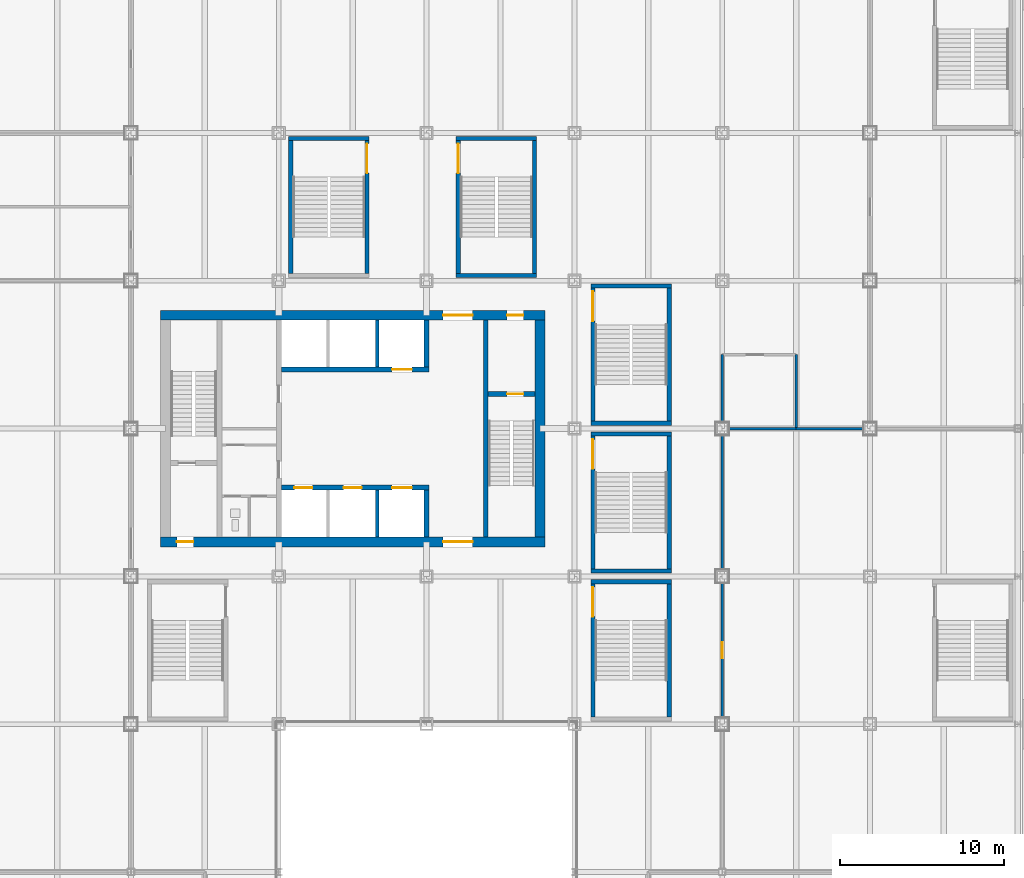
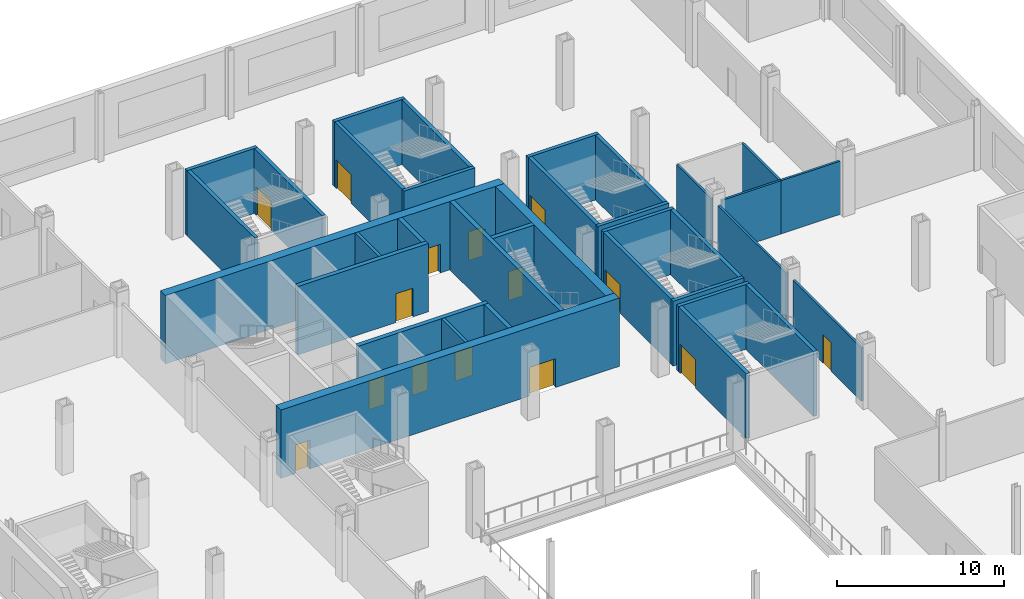
# One storey, part 13 of 28: 35 walls, 15 doors, 15 openings.
"""IFC4 building model written with IfcOpenShell, lengths in metres."""

from ifc_helpers import new_model, si_unit, direction, frame, frame_2d, origin, place, context, subcontext, project, spatial, rectangle, extrude, material, layer, layer_set, type_object, element, fill, save


model = new_model("IFC4")

# Units and contexts
model_context = context("Model", 3, precision=1e-05, world=origin(), true_north=direction((0.0, 1.0)))
body_context = subcontext(model_context, "Body", "Model", "MODEL_VIEW")
ifc_project = project(units=[si_unit("LENGTHUNIT", "METRE"), si_unit("AREAUNIT", "SQUARE_METRE"), si_unit("VOLUMEUNIT", "CUBIC_METRE"), si_unit("PLANEANGLEUNIT", "RADIAN"), si_unit("MASSUNIT", "GRAM", prefix="KILO")], contexts=[model_context])

# Site, building, storey
site_placement = place(None, origin())
site = spatial("IfcSite", under=ifc_project, at=site_placement, CompositionType="ELEMENT")
building_placement = place(site_placement, origin())
building = spatial("IfcBuilding", under=site, at=building_placement, Name="Loomwork Tower", CompositionType="ELEMENT")
storey_placement = place(building_placement, frame((0.0, 0.0, 6.0)))
storey = spatial("IfcBuildingStorey", under=building, at=storey_placement, Name="L01", CompositionType="ELEMENT", Elevation=6.0)

# Wall, openings, doors
ifc_material_1 = material(Name="Concrete 14000 psi (97 MPa)", Category="concrete")
ifc_layer_1 = layer(ifc_material_1, 0.300048828125)
ifc_layer_set_1 = layer_set([ifc_layer_1], Name="Core shear wall 300")
wall_type_1 = type_object("IfcWallType", Name="Core shear wall 300", PredefinedType="SHEAR", material=ifc_layer_set_1)
wall_1_placement = place(storey_placement, frame((18.14990234375, 14.39990234375, 0.0), z_axis=(0.0, 0.0, 1.0), x_axis=(1.0, 0.0, 0.0)))
wall_1 = element("IfcWall", 1, at=wall_1_placement, inside=storey, type_object=wall_type_1, Name="Lift front wall south L01", PredefinedType="SHEAR", context=body_context, shape_type="SweptSolid", body=[
    extrude(rectangle(XDim=9.0, YDim=0.300048828125, at=frame_2d((4.5, 0.0))), origin(), (0.0, 0.0, 1.0), 5.0),
])
opening_1_placement = place(wall_1_placement, frame((0.800048828125, 0.0, 0.0)))
opening_1 = element("IfcOpeningElement", 2, at=opening_1_placement, cuts=wall_1, Name="Opening LD1", PredefinedType="OPENING", context=body_context, shape_type="SweptSolid", body=[
    extrude(rectangle(XDim=1.10009765625, YDim=2.10009765625, at=frame_2d((0.550048828125, 1.050048828125))), frame((0.0, 0.159912109375, 0.0), z_axis=(0.0, -1.0, 0.0), x_axis=(1.0, 0.0, 0.0)), (0.0, 0.0, 1.0), 0.320068359375),
])
opening_2_placement = place(wall_1_placement, frame((3.800048828125, 0.0, 0.0)))
opening_2 = element("IfcOpeningElement", 3, at=opening_2_placement, cuts=wall_1, Name="Opening LD1", PredefinedType="OPENING", context=body_context, shape_type="SweptSolid", body=[
    extrude(rectangle(XDim=1.10009765625, YDim=2.10009765625, at=frame_2d((0.550048828125, 1.050048828125))), frame((0.0, 0.159912109375, 0.0), z_axis=(0.0, -1.0, 0.0), x_axis=(1.0, 0.0, 0.0)), (0.0, 0.0, 1.0), 0.320068359375),
])
opening_3_placement = place(wall_1_placement, frame((6.75, 0.0, 0.0)))
opening_3 = element("IfcOpeningElement", 4, at=opening_3_placement, cuts=wall_1, Name="Opening LD2", PredefinedType="OPENING", context=body_context, shape_type="SweptSolid", body=[
    extrude(rectangle(XDim=1.199951171875, YDim=2.10009765625, at=frame_2d((0.60009765625, 1.050048828125))), frame((0.0, 0.159912109375, 0.0), z_axis=(0.0, -1.0, 0.0), x_axis=(1.0, 0.0, 0.0)), (0.0, 0.0, 1.0), 0.320068359375),
])
ifc_material_2 = material(Name="Hollow metal door and frame")
door_type_1 = type_object("IfcDoorType", Name="Lift landing door 1100", OperationType="SLIDING_TO_LEFT", PredefinedType="DOOR", material=ifc_material_2)
door_1_placement = place(opening_1_placement, origin())
door_1 = element("IfcDoor", 5, at=door_1_placement, inside=storey, type_object=door_type_1, Name="Lift landing door LA1", OperationType="SLIDING_TO_LEFT", OverallHeight=2.10009765625, OverallWidth=1.10009765625, PredefinedType="DOOR", context=body_context, shape_type="SweptSolid", body=[
    extrude(rectangle(XDim=1.10009765625, YDim=2.10009765625, at=frame_2d((0.550048828125, 1.050048828125))), frame((0.0, 0.02490234375, 0.0), z_axis=(0.0, -1.0, 0.0), x_axis=(1.0, 0.0, 0.0)), (0.0, 0.0, 1.0), 0.050048828125),
])
fill(opening_1, door_1)
door_2_placement = place(opening_2_placement, origin())
door_2 = element("IfcDoor", 6, at=door_2_placement, inside=storey, type_object=door_type_1, Name="Lift landing door LA2", OperationType="SLIDING_TO_LEFT", OverallHeight=2.10009765625, OverallWidth=1.10009765625, PredefinedType="DOOR", context=body_context, shape_type="SweptSolid", body=[
    extrude(rectangle(XDim=1.10009765625, YDim=2.10009765625, at=frame_2d((0.550048828125, 1.050048828125))), frame((0.0, 0.02490234375, 0.0), z_axis=(0.0, -1.0, 0.0), x_axis=(1.0, 0.0, 0.0)), (0.0, 0.0, 1.0), 0.050048828125),
])
fill(opening_2, door_2)
ifc_material_3 = material(Name="Hollow metal door and frame")
door_type_2 = type_object("IfcDoorType", Name="Lift landing door 1200", OperationType="SLIDING_TO_LEFT", PredefinedType="DOOR", material=ifc_material_3)
door_3_placement = place(opening_3_placement, origin())
door_3 = element("IfcDoor", 7, at=door_3_placement, inside=storey, type_object=door_type_2, Name="Lift landing door LF1", OperationType="SLIDING_TO_LEFT", OverallHeight=2.10009765625, OverallWidth=1.199951171875, PredefinedType="DOOR", context=body_context, shape_type="SweptSolid", body=[
    extrude(rectangle(XDim=1.199951171875, YDim=2.10009765625, at=frame_2d((0.60009765625, 1.050048828125))), frame((0.0, 0.02490234375, 0.0), z_axis=(0.0, -1.0, 0.0), x_axis=(1.0, 0.0, 0.0)), (0.0, 0.0, 1.0), 0.050048828125),
])
fill(opening_3, door_3)

# Wall
wall_2_placement = place(storey_placement, frame((27.0, 11.39990234375, 0.0), z_axis=(0.0, 0.0, 1.0), x_axis=(0.0, 1.0, 0.0)))
element("IfcWall", 8, at=wall_2_placement, inside=storey, type_object=wall_type_1, Name="Lift shaft end wall south L01", PredefinedType="SHEAR", context=body_context, shape_type="SweptSolid", body=[
    extrude(rectangle(XDim=2.85009765625, YDim=0.300048828125, at=frame_2d((1.425048828125, 0.0))), origin(), (0.0, 0.0, 1.0), 5.0),
])

# Wall, opening, door
wall_3_placement = place(storey_placement, frame((18.14990234375, 21.60009765625, 0.0), z_axis=(0.0, 0.0, 1.0), x_axis=(1.0, 0.0, 0.0)))
wall_3 = element("IfcWall", 9, at=wall_3_placement, inside=storey, type_object=wall_type_1, Name="Lift front wall north L01", PredefinedType="SHEAR", context=body_context, shape_type="SweptSolid", body=[
    extrude(rectangle(XDim=9.0, YDim=0.300048828125, at=frame_2d((4.5, 0.0))), origin(), (0.0, 0.0, 1.0), 5.0),
])
opening_4_placement = place(wall_3_placement, frame((6.75, 0.0, 0.0)))
opening_4 = element("IfcOpeningElement", 10, at=opening_4_placement, cuts=wall_3, Name="Opening LD2", PredefinedType="OPENING", context=body_context, shape_type="SweptSolid", body=[
    extrude(rectangle(XDim=1.199951171875, YDim=2.10009765625, at=frame_2d((0.60009765625, 1.050048828125))), frame((0.0, 0.159912109375, 0.0), z_axis=(0.0, -1.0, 0.0), x_axis=(1.0, 0.0, 0.0)), (0.0, 0.0, 1.0), 0.320068359375),
])
door_4_placement = place(opening_4_placement, origin())
door_4 = element("IfcDoor", 11, at=door_4_placement, inside=storey, type_object=door_type_2, Name="Lift landing door LF2", OperationType="SLIDING_TO_LEFT", OverallHeight=2.10009765625, OverallWidth=1.199951171875, PredefinedType="DOOR", context=body_context, shape_type="SweptSolid", body=[
    extrude(rectangle(XDim=1.199951171875, YDim=2.10009765625, at=frame_2d((0.60009765625, 1.050048828125))), frame((0.0, 0.02490234375, 0.0), z_axis=(0.0, -1.0, 0.0), x_axis=(1.0, 0.0, 0.0)), (0.0, 0.0, 1.0), 0.050048828125),
])
fill(opening_4, door_4)

# Walls
wall_4_placement = place(storey_placement, frame((27.0, 21.75, 0.0), z_axis=(0.0, 0.0, 1.0), x_axis=(0.0, 1.0, 0.0)))
element("IfcWall", 12, at=wall_4_placement, inside=storey, type_object=wall_type_1, Name="Lift shaft end wall north L01", PredefinedType="SHEAR", context=body_context, shape_type="SweptSolid", body=[
    extrude(rectangle(XDim=2.85009765625, YDim=0.300048828125, at=frame_2d((1.425048828125, 0.0))), origin(), (0.0, 0.0, 1.0), 5.0),
])
wall_5_placement = place(storey_placement, frame((30.60009765625, 11.39990234375, 0.0), z_axis=(0.0, 0.0, 1.0), x_axis=(0.0, 1.0, 0.0)))
element("IfcWall", 13, at=wall_5_placement, inside=storey, type_object=wall_type_1, Name="Stair B west wall L01", PredefinedType="SHEAR", context=body_context, shape_type="SweptSolid", body=[
    extrude(rectangle(XDim=13.2001953125, YDim=0.300048828125, at=frame_2d((6.60009765625, 0.0))), origin(), (0.0, 0.0, 1.0), 5.0),
])

# Wall, opening, door
wall_6_placement = place(storey_placement, frame((30.75, 20.10009765625, 0.0), z_axis=(0.0, 0.0, 1.0), x_axis=(1.0, 0.0, 0.0)))
wall_6 = element("IfcWall", 14, at=wall_6_placement, inside=storey, type_object=wall_type_1, Name="Stair B north wall L01", PredefinedType="SHEAR", context=body_context, shape_type="SweptSolid", body=[
    extrude(rectangle(XDim=2.85009765625, YDim=0.300048828125, at=frame_2d((1.425048828125, 0.0))), origin(), (0.0, 0.0, 1.0), 5.0),
])
opening_5_placement = place(wall_6_placement, frame((1.14990234375, 0.0, 0.0)))
opening_5 = element("IfcOpeningElement", 15, at=opening_5_placement, cuts=wall_6, Name="Opening D4", PredefinedType="OPENING", context=body_context, shape_type="SweptSolid", body=[
    extrude(rectangle(XDim=1.0, YDim=2.10009765625, at=frame_2d((0.5, 1.050048828125))), frame((0.0, 0.159912109375, 0.0), z_axis=(0.0, -1.0, 0.0), x_axis=(1.0, 0.0, 0.0)), (0.0, 0.0, 1.0), 0.320068359375),
])
ifc_material_4 = material(Name="Hollow metal door and frame")
door_type_3 = type_object("IfcDoorType", Name="Stair door 1000", OperationType="SINGLE_SWING_RIGHT", PredefinedType="DOOR", material=ifc_material_4)
door_5_placement = place(opening_5_placement, frame((1.0, 0.0, 0.0), z_axis=(0.0, 0.0, 1.0), x_axis=(-1.0, 0.0, 0.0)))
door_5 = element("IfcDoor", 16, at=door_5_placement, inside=storey, type_object=door_type_3, Name="Stair B door", OperationType="SINGLE_SWING_LEFT", OverallHeight=2.10009765625, OverallWidth=1.0, PredefinedType="DOOR", context=body_context, shape_type="SweptSolid", body=[
    extrude(rectangle(XDim=1.0, YDim=2.10009765625, at=frame_2d((0.5, 1.050048828125))), frame((0.0, 0.02490234375, 0.0), z_axis=(0.0, -1.0, 0.0), x_axis=(1.0, 0.0, 0.0)), (0.0, 0.0, 1.0), 0.050048828125),
])
fill(opening_5, door_5)

# Wall, openings, doors
ifc_material_5 = material(Name="Concrete 14000 psi (97 MPa)", Category="concrete")
ifc_layer_2 = layer(ifc_material_5, 0.60009765625)
ifc_layer_set_2 = layer_set([ifc_layer_2], Name="Core shear wall 600")
wall_type_2 = type_object("IfcWallType", Name="Core shear wall 600", PredefinedType="SHEAR", material=ifc_layer_set_2)
wall_7_placement = place(storey_placement, frame((10.800048828125, 11.10009765625, 0.0), z_axis=(0.0, 0.0, 1.0), x_axis=(1.0, 0.0, 0.0)))
wall_7 = element("IfcWall", 17, at=wall_7_placement, inside=storey, type_object=wall_type_2, Name="Core wall south L01", PredefinedType="SHEAR", context=body_context, shape_type="SweptSolid", body=[
    extrude(rectangle(XDim=23.39990234375, YDim=0.60009765625, at=frame_2d((11.699951171875, 0.0))), origin(), (0.0, 0.0, 1.0), 5.0),
])
opening_6_placement = place(wall_7_placement, frame((1.0, 0.0, 0.0)))
opening_6 = element("IfcOpeningElement", 18, at=opening_6_placement, cuts=wall_7, Name="Opening D4", PredefinedType="OPENING", context=body_context, shape_type="SweptSolid", body=[
    extrude(rectangle(XDim=1.0, YDim=2.10009765625, at=frame_2d((0.5, 1.050048828125))), frame((0.0, 0.31005859375, 0.0), z_axis=(0.0, -1.0, 0.0), x_axis=(1.0, 0.0, 0.0)), (0.0, 0.0, 1.0), 0.6201171875),
])
opening_7_placement = place(wall_7_placement, frame((17.199951171875, 0.0, 0.0)))
opening_7 = element("IfcOpeningElement", 19, at=opening_7_placement, cuts=wall_7, Name="Opening D6", PredefinedType="OPENING", context=body_context, shape_type="SweptSolid", body=[
    extrude(rectangle(XDim=1.800048828125, YDim=2.10009765625, at=frame_2d((0.89990234375, 1.050048828125))), frame((0.0, 0.31005859375, 0.0), z_axis=(0.0, -1.0, 0.0), x_axis=(1.0, 0.0, 0.0)), (0.0, 0.0, 1.0), 0.6201171875),
])
ifc_material_6 = material(Name="Hollow metal door and frame")
door_type_4 = type_object("IfcDoorType", Name="Lobby passage double door 1800", OperationType="DOUBLE_DOOR_SINGLE_SWING", PredefinedType="DOOR", material=ifc_material_6)
door_6_placement = place(opening_7_placement, origin())
door_6 = element("IfcDoor", 20, at=door_6_placement, inside=storey, type_object=door_type_4, Name="Lobby passage door south", OperationType="DOUBLE_DOOR_SINGLE_SWING", OverallHeight=2.10009765625, OverallWidth=1.800048828125, PredefinedType="DOOR", context=body_context, shape_type="SweptSolid", body=[
    extrude(rectangle(XDim=1.800048828125, YDim=2.10009765625, at=frame_2d((0.89990234375, 1.050048828125))), frame((0.0, 0.02490234375, 0.0), z_axis=(0.0, -1.0, 0.0), x_axis=(1.0, 0.0, 0.0)), (0.0, 0.0, 1.0), 0.050048828125),
])
fill(opening_7, door_6)
door_7_placement = place(opening_6_placement, origin())
door_7 = element("IfcDoor", 21, at=door_7_placement, inside=storey, type_object=door_type_3, Name="Stair A vestibule door", OperationType="SINGLE_SWING_LEFT", OverallHeight=2.10009765625, OverallWidth=1.0, PredefinedType="DOOR", context=body_context, shape_type="SweptSolid", body=[
    extrude(rectangle(XDim=1.0, YDim=2.10009765625, at=frame_2d((0.5, 1.050048828125))), frame((0.0, 0.02490234375, 0.0), z_axis=(0.0, -1.0, 0.0), x_axis=(1.0, 0.0, 0.0)), (0.0, 0.0, 1.0), 0.050048828125),
])
fill(opening_6, door_7)

wall_8_placement = place(storey_placement, frame((10.800048828125, 24.89990234375, 0.0), z_axis=(0.0, 0.0, 1.0), x_axis=(1.0, 0.0, 0.0)))
wall_8 = element("IfcWall", 22, at=wall_8_placement, inside=storey, type_object=wall_type_2, Name="Core wall north L01", PredefinedType="SHEAR", context=body_context, shape_type="SweptSolid", body=[
    extrude(rectangle(XDim=23.39990234375, YDim=0.60009765625, at=frame_2d((11.699951171875, 0.0))), origin(), (0.0, 0.0, 1.0), 5.0),
])
opening_8_placement = place(wall_8_placement, frame((17.199951171875, 0.0, 0.0)))
opening_8 = element("IfcOpeningElement", 23, at=opening_8_placement, cuts=wall_8, Name="Opening D6", PredefinedType="OPENING", context=body_context, shape_type="SweptSolid", body=[
    extrude(rectangle(XDim=1.800048828125, YDim=2.10009765625, at=frame_2d((0.89990234375, 1.050048828125))), frame((0.0, 0.31005859375, 0.0), z_axis=(0.0, -1.0, 0.0), x_axis=(1.0, 0.0, 0.0)), (0.0, 0.0, 1.0), 0.6201171875),
])
opening_9_placement = place(wall_8_placement, frame((21.10009765625, 0.0, 0.0)))
opening_9 = element("IfcOpeningElement", 24, at=opening_9_placement, cuts=wall_8, Name="Opening D4", PredefinedType="OPENING", context=body_context, shape_type="SweptSolid", body=[
    extrude(rectangle(XDim=1.0, YDim=2.10009765625, at=frame_2d((0.5, 1.050048828125))), frame((0.0, 0.31005859375, 0.0), z_axis=(0.0, -1.0, 0.0), x_axis=(1.0, 0.0, 0.0)), (0.0, 0.0, 1.0), 0.6201171875),
])
door_8_placement = place(opening_8_placement, frame((1.800048828125, 0.0, 0.0), z_axis=(0.0, 0.0, 1.0), x_axis=(-1.0, 0.0, 0.0)))
door_8 = element("IfcDoor", 25, at=door_8_placement, inside=storey, type_object=door_type_4, Name="Lobby passage door north", OperationType="DOUBLE_DOOR_SINGLE_SWING", OverallHeight=2.10009765625, OverallWidth=1.800048828125, PredefinedType="DOOR", context=body_context, shape_type="SweptSolid", body=[
    extrude(rectangle(XDim=1.800048828125, YDim=2.10009765625, at=frame_2d((0.89990234375, 1.050048828125))), frame((0.0, 0.02490234375, 0.0), z_axis=(0.0, -1.0, 0.0), x_axis=(1.0, 0.0, 0.0)), (0.0, 0.0, 1.0), 0.050048828125),
])
fill(opening_8, door_8)
door_9_placement = place(opening_9_placement, frame((1.0, 0.0, 0.0), z_axis=(0.0, 0.0, 1.0), x_axis=(-1.0, 0.0, 0.0)))
door_9 = element("IfcDoor", 26, at=door_9_placement, inside=storey, type_object=door_type_3, Name="Stair B vestibule door", OperationType="SINGLE_SWING_LEFT", OverallHeight=2.10009765625, OverallWidth=1.0, PredefinedType="DOOR", context=body_context, shape_type="SweptSolid", body=[
    extrude(rectangle(XDim=1.0, YDim=2.10009765625, at=frame_2d((0.5, 1.050048828125))), frame((0.0, 0.02490234375, 0.0), z_axis=(0.0, -1.0, 0.0), x_axis=(1.0, 0.0, 0.0)), (0.0, 0.0, 1.0), 0.050048828125),
])
fill(opening_9, door_9)

# Walls
wall_9_placement = place(storey_placement, frame((33.89990234375, 11.39990234375, 0.0), z_axis=(0.0, 0.0, 1.0), x_axis=(0.0, 1.0, 0.0)))
element("IfcWall", 27, at=wall_9_placement, inside=storey, type_object=wall_type_2, Name="Core wall east L01", PredefinedType="SHEAR", context=body_context, shape_type="SweptSolid", body=[
    extrude(rectangle(XDim=13.2001953125, YDim=0.60009765625, at=frame_2d((6.60009765625, 0.0))), origin(), (0.0, 0.0, 1.0), 5.0),
])
ifc_material_7 = material(Name="Concrete 14000 psi (97 MPa)", Category="concrete")
ifc_layer_3 = layer(ifc_material_7, 0.199951171875)
ifc_layer_set_3 = layer_set([ifc_layer_3], Name="Lift shaft wall 200")
wall_type_3 = type_object("IfcWallType", Name="Lift shaft wall 200", PredefinedType="SHEAR", material=ifc_layer_set_3)
for number, where, z_axis, x_axis, name in (
    (28, (24.0, 11.39990234375, 0.0), (0.0, 0.0, 1.0), (0.0, 1.0, 0.0), "Lift shaft separation wall south 2 L01"),
    (29, (24.0, 21.75, 0.0), (0.0, 0.0, 1.0), (0.0, 1.0, 0.0), "Lift shaft separation wall north 2 L01"),
):
    element("IfcWall", number, at=place(storey_placement, frame(where, z_axis=z_axis, x_axis=x_axis)), inside=storey, type_object=wall_type_3, Name=name, PredefinedType="SHEAR", context=body_context, shape_type="SweptSolid", body=[
        extrude(rectangle(XDim=2.85009765625, YDim=0.199951171875, at=frame_2d((1.425048828125, 0.0))), origin(), (0.0, 0.0, 1.0), 5.0),
    ])

# Wall, opening, door
ifc_material_8 = material(Name="Gypsum board on steel studs, one-hour", Category="steel")
ifc_layer_4 = layer(ifc_material_8, 0.14990234375)
ifc_layer_set_4 = layer_set([ifc_layer_4], Name="Partition 150")
wall_type_4 = type_object("IfcWallType", Name="Partition 150", PredefinedType="PARTITIONING", material=ifc_layer_set_4)
wall_10_placement = place(storey_placement, frame((45.0, 0.39990234375, 0.0), z_axis=(0.0, 0.0, 1.0), x_axis=(0.0, 1.0, 0.0)))
wall_10 = element("IfcWall", 30, at=wall_10_placement, inside=storey, type_object=wall_type_4, Name="Partition L01 14.2", PredefinedType="PARTITIONING", context=body_context, shape_type="SweptSolid", body=[
    extrude(rectangle(XDim=8.2001953125, YDim=0.14990234375, at=frame_2d((4.10009765625, 0.0))), origin(), (0.0, 0.0, 1.0), 3.8916015625),
])
opening_10_placement = place(wall_10_placement, frame((3.60009765625, 0.0, 0.0)))
opening_10 = element("IfcOpeningElement", 31, at=opening_10_placement, cuts=wall_10, Name="Opening D7", PredefinedType="OPENING", context=body_context, shape_type="SweptSolid", body=[
    extrude(rectangle(XDim=1.0, YDim=2.10009765625, at=frame_2d((0.5, 1.050048828125))), frame((0.0, 0.0849609375, 0.0), z_axis=(0.0, -1.0, 0.0), x_axis=(1.0, 0.0, 0.0)), (0.0, 0.0, 1.0), 0.169921875),
])
ifc_material_9 = material(Name="Hollow metal door and frame")
door_type_5 = type_object("IfcDoorType", Name="Room door 1000", OperationType="SINGLE_SWING_LEFT", PredefinedType="DOOR", material=ifc_material_9)
door_10_placement = place(opening_10_placement, origin())
door_10 = element("IfcDoor", 32, at=door_10_placement, inside=storey, type_object=door_type_5, Name="Retail unit L01-03 door", OperationType="SINGLE_SWING_LEFT", OverallHeight=2.10009765625, OverallWidth=1.0, PredefinedType="DOOR", context=body_context, shape_type="SweptSolid", body=[
    extrude(rectangle(XDim=1.0, YDim=2.10009765625, at=frame_2d((0.5, 1.050048828125))), frame((0.0, 0.02490234375, 0.0), z_axis=(0.0, -1.0, 0.0), x_axis=(1.0, 0.0, 0.0)), (0.0, 0.0, 1.0), 0.050048828125),
])
fill(opening_10, door_10)

# Walls
wall_11_placement = place(storey_placement, frame((45.0, 9.39990234375, 0.0), z_axis=(0.0, 0.0, 1.0), x_axis=(0.0, 1.0, 0.0)))
element("IfcWall", 33, at=wall_11_placement, inside=storey, type_object=wall_type_4, Name="Partition L01 14.3", PredefinedType="PARTITIONING", context=body_context, shape_type="SweptSolid", body=[
    extrude(rectangle(XDim=8.2001953125, YDim=0.14990234375, at=frame_2d((4.10009765625, 0.0))), origin(), (0.0, 0.0, 1.0), 3.8916015625),
])
for number, where, z_axis, x_axis, name in (
    (34, (45.39990234375, 18.0, 0.0), (0.0, 0.0, 1.0), (1.0, 0.0, 0.0), "Partition L01 15.1"),
    (35, (45.0, 18.39990234375, 0.0), (0.0, 0.0, 1.0), (0.0, 1.0, 0.0), "Partition L01 16.1"),
):
    element("IfcWall", number, at=place(storey_placement, frame(where, z_axis=z_axis, x_axis=x_axis)), inside=storey, type_object=wall_type_4, Name=name, PredefinedType="PARTITIONING", context=body_context, shape_type="SweptSolid", body=[
        extrude(rectangle(XDim=4.10009765625, YDim=0.14990234375, at=frame_2d((2.050048828125, 0.0))), origin(), (0.0, 0.0, 1.0), 3.8916015625),
    ])
wall_12_placement = place(storey_placement, frame((49.5, 22.5, 0.0), z_axis=(0.0, 0.0, 1.0), x_axis=(0.0, -1.0, 0.0)))
element("IfcWall", 36, at=wall_12_placement, inside=storey, type_object=wall_type_4, Name="Partition L01 18.1", PredefinedType="PARTITIONING", context=body_context, shape_type="SweptSolid", body=[
    extrude(rectangle(XDim=4.5, YDim=0.14990234375, at=frame_2d((2.25, 0.0))), origin(), (0.0, 0.0, 1.0), 3.89111328125),
])
wall_13_placement = place(storey_placement, frame((49.5, 18.0, 0.0), z_axis=(0.0, 0.0, 1.0), x_axis=(1.0, 0.0, 0.0)))
element("IfcWall", 37, at=wall_13_placement, inside=storey, type_object=wall_type_4, Name="Partition L01 19.1", PredefinedType="PARTITIONING", context=body_context, shape_type="SweptSolid", body=[
    extrude(rectangle(XDim=4.10009765625, YDim=0.14990234375, at=frame_2d((2.050048828125, 0.0))), origin(), (0.0, 0.0, 1.0), 3.8916015625),
])
ifc_material_10 = material(Name="Concrete masonry, two-hour", Category="masonry")
ifc_layer_5 = layer(ifc_material_10, 0.25)
ifc_layer_set_5 = layer_set([ifc_layer_5], Name="Stair enclosure wall 250")
wall_type_5 = type_object("IfcWallType", Name="Stair enclosure wall 250", PredefinedType="SOLIDWALL", material=ifc_layer_set_5)
wall_14_placement = place(storey_placement, frame((37.0, 8.675048828125, 0.0), z_axis=(0.0, 0.0, 1.0), x_axis=(1.0, 0.0, 0.0)))
element("IfcWall", 38, at=wall_14_placement, inside=storey, type_object=wall_type_5, Name="Stair PS7 enclosure wall N L01", PredefinedType="SOLIDWALL", context=body_context, shape_type="SweptSolid", body=[
    extrude(rectangle(XDim=4.89990234375, YDim=0.25, at=frame_2d((2.449951171875, 0.0))), origin(), (0.0, 0.0, 1.0), 4.75),
])

# Wall, opening, door
wall_15_placement = place(storey_placement, frame((37.125, 0.449951171875, 0.0), z_axis=(0.0, 0.0, 1.0), x_axis=(0.0, 1.0, 0.0)))
wall_15 = element("IfcWall", 39, at=wall_15_placement, inside=storey, type_object=wall_type_5, Name="Stair PS7 enclosure wall W L01", PredefinedType="SOLIDWALL", context=body_context, shape_type="SweptSolid", body=[
    extrude(rectangle(XDim=8.10009765625, YDim=0.25, at=frame_2d((4.050048828125, 0.0))), origin(), (0.0, 0.0, 1.0), 4.75),
])
opening_11_placement = place(wall_15_placement, frame((6.10009765625, 0.0, 0.0)))
opening_11 = element("IfcOpeningElement", 40, at=opening_11_placement, cuts=wall_15, Name="Opening D14", PredefinedType="OPENING", context=body_context, shape_type="SweptSolid", body=[
    extrude(rectangle(XDim=1.800048828125, YDim=2.10009765625, at=frame_2d((0.89990234375, 1.050048828125))), frame((0.0, 0.135009765625, 0.0), z_axis=(0.0, -1.0, 0.0), x_axis=(1.0, 0.0, 0.0)), (0.0, 0.0, 1.0), 0.27001953125),
])
ifc_material_11 = material(Name="Hollow metal door and frame")
door_type_6 = type_object("IfcDoorType", Name="Stair double door 1800", OperationType="DOUBLE_DOOR_SINGLE_SWING", PredefinedType="DOOR", material=ifc_material_11)
door_11_placement = place(opening_11_placement, frame((1.800048828125, 0.0, 0.0), z_axis=(0.0, 0.0, 1.0), x_axis=(-1.0, 0.0, 0.0)))
door_11 = element("IfcDoor", 41, at=door_11_placement, inside=storey, type_object=door_type_6, Name="Stair PS7 door L01", OperationType="DOUBLE_DOOR_SINGLE_SWING", OverallHeight=2.10009765625, OverallWidth=1.800048828125, PredefinedType="DOOR", context=body_context, shape_type="SweptSolid", body=[
    extrude(rectangle(XDim=1.800048828125, YDim=2.10009765625, at=frame_2d((0.89990234375, 1.050048828125))), frame((0.0, 0.02490234375, 0.0), z_axis=(0.0, -1.0, 0.0), x_axis=(1.0, 0.0, 0.0)), (0.0, 0.0, 1.0), 0.050048828125),
])
fill(opening_11, door_11)

# Walls
wall_16_placement = place(storey_placement, frame((41.77490234375, 0.449951171875, 0.0), z_axis=(0.0, 0.0, 1.0), x_axis=(0.0, 1.0, 0.0)))
element("IfcWall", 42, at=wall_16_placement, inside=storey, type_object=wall_type_5, Name="Stair PS7 enclosure wall E L01", PredefinedType="SOLIDWALL", context=body_context, shape_type="SweptSolid", body=[
    extrude(rectangle(XDim=8.10009765625, YDim=0.25, at=frame_2d((4.050048828125, 0.0))), origin(), (0.0, 0.0, 1.0), 4.75),
])
for number, where, z_axis, x_axis, name in (
    (43, (37.0, 9.324951171875, 0.0), (0.0, 0.0, 1.0), (1.0, 0.0, 0.0), "Stair PS8 enclosure wall S L01"),
    (44, (37.0, 17.675048828125, 0.0), (0.0, 0.0, 1.0), (1.0, 0.0, 0.0), "Stair PS8 enclosure wall N L01"),
):
    element("IfcWall", number, at=place(storey_placement, frame(where, z_axis=z_axis, x_axis=x_axis)), inside=storey, type_object=wall_type_5, Name=name, PredefinedType="SOLIDWALL", context=body_context, shape_type="SweptSolid", body=[
        extrude(rectangle(XDim=4.89990234375, YDim=0.25, at=frame_2d((2.449951171875, 0.0))), origin(), (0.0, 0.0, 1.0), 4.75),
    ])

# Wall, opening, door
wall_17_placement = place(storey_placement, frame((37.125, 9.449951171875, 0.0), z_axis=(0.0, 0.0, 1.0), x_axis=(0.0, 1.0, 0.0)))
wall_17 = element("IfcWall", 45, at=wall_17_placement, inside=storey, type_object=wall_type_5, Name="Stair PS8 enclosure wall W L01", PredefinedType="SOLIDWALL", context=body_context, shape_type="SweptSolid", body=[
    extrude(rectangle(XDim=8.10009765625, YDim=0.25, at=frame_2d((4.050048828125, 0.0))), origin(), (0.0, 0.0, 1.0), 4.75),
])
opening_12_placement = place(wall_17_placement, frame((6.10009765625, 0.0, 0.0)))
opening_12 = element("IfcOpeningElement", 46, at=opening_12_placement, cuts=wall_17, Name="Opening D14", PredefinedType="OPENING", context=body_context, shape_type="SweptSolid", body=[
    extrude(rectangle(XDim=1.800048828125, YDim=2.10009765625, at=frame_2d((0.89990234375, 1.050048828125))), frame((0.0, 0.135009765625, 0.0), z_axis=(0.0, -1.0, 0.0), x_axis=(1.0, 0.0, 0.0)), (0.0, 0.0, 1.0), 0.27001953125),
])
door_12_placement = place(opening_12_placement, frame((1.800048828125, 0.0, 0.0), z_axis=(0.0, 0.0, 1.0), x_axis=(-1.0, 0.0, 0.0)))
door_12 = element("IfcDoor", 47, at=door_12_placement, inside=storey, type_object=door_type_6, Name="Stair PS8 door L01", OperationType="DOUBLE_DOOR_SINGLE_SWING", OverallHeight=2.10009765625, OverallWidth=1.800048828125, PredefinedType="DOOR", context=body_context, shape_type="SweptSolid", body=[
    extrude(rectangle(XDim=1.800048828125, YDim=2.10009765625, at=frame_2d((0.89990234375, 1.050048828125))), frame((0.0, 0.02490234375, 0.0), z_axis=(0.0, -1.0, 0.0), x_axis=(1.0, 0.0, 0.0)), (0.0, 0.0, 1.0), 0.050048828125),
])
fill(opening_12, door_12)

# Walls
wall_18_placement = place(storey_placement, frame((41.77490234375, 9.449951171875, 0.0), z_axis=(0.0, 0.0, 1.0), x_axis=(0.0, 1.0, 0.0)))
element("IfcWall", 48, at=wall_18_placement, inside=storey, type_object=wall_type_5, Name="Stair PS8 enclosure wall E L01", PredefinedType="SOLIDWALL", context=body_context, shape_type="SweptSolid", body=[
    extrude(rectangle(XDim=8.10009765625, YDim=0.25, at=frame_2d((4.050048828125, 0.0))), origin(), (0.0, 0.0, 1.0), 4.75),
])
for number, where, z_axis, x_axis, name in (
    (49, (37.0, 18.324951171875, 0.0), (0.0, 0.0, 1.0), (1.0, 0.0, 0.0), "Stair PS9 enclosure wall S L01"),
    (50, (37.0, 26.675048828125, 0.0), (0.0, 0.0, 1.0), (1.0, 0.0, 0.0), "Stair PS9 enclosure wall N L01"),
):
    element("IfcWall", number, at=place(storey_placement, frame(where, z_axis=z_axis, x_axis=x_axis)), inside=storey, type_object=wall_type_5, Name=name, PredefinedType="SOLIDWALL", context=body_context, shape_type="SweptSolid", body=[
        extrude(rectangle(XDim=4.89990234375, YDim=0.25, at=frame_2d((2.449951171875, 0.0))), origin(), (0.0, 0.0, 1.0), 4.75),
    ])

# Wall, opening, door
wall_19_placement = place(storey_placement, frame((37.125, 18.449951171875, 0.0), z_axis=(0.0, 0.0, 1.0), x_axis=(0.0, 1.0, 0.0)))
wall_19 = element("IfcWall", 51, at=wall_19_placement, inside=storey, type_object=wall_type_5, Name="Stair PS9 enclosure wall W L01", PredefinedType="SOLIDWALL", context=body_context, shape_type="SweptSolid", body=[
    extrude(rectangle(XDim=8.10009765625, YDim=0.25, at=frame_2d((4.050048828125, 0.0))), origin(), (0.0, 0.0, 1.0), 4.75),
])
opening_13_placement = place(wall_19_placement, frame((6.10009765625, 0.0, 0.0)))
opening_13 = element("IfcOpeningElement", 52, at=opening_13_placement, cuts=wall_19, Name="Opening D14", PredefinedType="OPENING", context=body_context, shape_type="SweptSolid", body=[
    extrude(rectangle(XDim=1.800048828125, YDim=2.10009765625, at=frame_2d((0.89990234375, 1.050048828125))), frame((0.0, 0.135009765625, 0.0), z_axis=(0.0, -1.0, 0.0), x_axis=(1.0, 0.0, 0.0)), (0.0, 0.0, 1.0), 0.27001953125),
])
door_13_placement = place(opening_13_placement, frame((1.800048828125, 0.0, 0.0), z_axis=(0.0, 0.0, 1.0), x_axis=(-1.0, 0.0, 0.0)))
door_13 = element("IfcDoor", 53, at=door_13_placement, inside=storey, type_object=door_type_6, Name="Stair PS9 door L01", OperationType="DOUBLE_DOOR_SINGLE_SWING", OverallHeight=2.10009765625, OverallWidth=1.800048828125, PredefinedType="DOOR", context=body_context, shape_type="SweptSolid", body=[
    extrude(rectangle(XDim=1.800048828125, YDim=2.10009765625, at=frame_2d((0.89990234375, 1.050048828125))), frame((0.0, 0.02490234375, 0.0), z_axis=(0.0, -1.0, 0.0), x_axis=(1.0, 0.0, 0.0)), (0.0, 0.0, 1.0), 0.050048828125),
])
fill(opening_13, door_13)

# Walls
wall_20_placement = place(storey_placement, frame((41.77490234375, 18.449951171875, 0.0), z_axis=(0.0, 0.0, 1.0), x_axis=(0.0, 1.0, 0.0)))
element("IfcWall", 54, at=wall_20_placement, inside=storey, type_object=wall_type_5, Name="Stair PS9 enclosure wall E L01", PredefinedType="SOLIDWALL", context=body_context, shape_type="SweptSolid", body=[
    extrude(rectangle(XDim=8.10009765625, YDim=0.25, at=frame_2d((4.050048828125, 0.0))), origin(), (0.0, 0.0, 1.0), 4.75),
])
wall_21_placement = place(storey_placement, frame((18.60009765625, 35.675048828125, 0.0), z_axis=(0.0, 0.0, 1.0), x_axis=(1.0, 0.0, 0.0)))
element("IfcWall", 55, at=wall_21_placement, inside=storey, type_object=wall_type_5, Name="Stair PS10 enclosure wall N L01", PredefinedType="SOLIDWALL", context=body_context, shape_type="SweptSolid", body=[
    extrude(rectangle(XDim=4.89990234375, YDim=0.25, at=frame_2d((2.449951171875, 0.0))), origin(), (0.0, 0.0, 1.0), 4.75),
])
wall_22_placement = place(storey_placement, frame((18.72509765625, 27.449951171875, 0.0), z_axis=(0.0, 0.0, 1.0), x_axis=(0.0, 1.0, 0.0)))
element("IfcWall", 56, at=wall_22_placement, inside=storey, type_object=wall_type_5, Name="Stair PS10 enclosure wall W L01", PredefinedType="SOLIDWALL", context=body_context, shape_type="SweptSolid", body=[
    extrude(rectangle(XDim=8.10009765625, YDim=0.25, at=frame_2d((4.050048828125, 0.0))), origin(), (0.0, 0.0, 1.0), 4.75),
])

# Wall, opening, door
wall_23_placement = place(storey_placement, frame((23.375, 27.449951171875, 0.0), z_axis=(0.0, 0.0, 1.0), x_axis=(0.0, 1.0, 0.0)))
wall_23 = element("IfcWall", 57, at=wall_23_placement, inside=storey, type_object=wall_type_5, Name="Stair PS10 enclosure wall E L01", PredefinedType="SOLIDWALL", context=body_context, shape_type="SweptSolid", body=[
    extrude(rectangle(XDim=8.10009765625, YDim=0.25, at=frame_2d((4.050048828125, 0.0))), origin(), (0.0, 0.0, 1.0), 4.75),
])
opening_14_placement = place(wall_23_placement, frame((6.10009765625, 0.0, 0.0)))
opening_14 = element("IfcOpeningElement", 58, at=opening_14_placement, cuts=wall_23, Name="Opening D14", PredefinedType="OPENING", context=body_context, shape_type="SweptSolid", body=[
    extrude(rectangle(XDim=1.800048828125, YDim=2.10009765625, at=frame_2d((0.89990234375, 1.050048828125))), frame((0.0, 0.135009765625, 0.0), z_axis=(0.0, -1.0, 0.0), x_axis=(1.0, 0.0, 0.0)), (0.0, 0.0, 1.0), 0.27001953125),
])
door_14_placement = place(opening_14_placement, origin())
door_14 = element("IfcDoor", 59, at=door_14_placement, inside=storey, type_object=door_type_6, Name="Stair PS10 door L01", OperationType="DOUBLE_DOOR_SINGLE_SWING", OverallHeight=2.10009765625, OverallWidth=1.800048828125, PredefinedType="DOOR", context=body_context, shape_type="SweptSolid", body=[
    extrude(rectangle(XDim=1.800048828125, YDim=2.10009765625, at=frame_2d((0.89990234375, 1.050048828125))), frame((0.0, 0.02490234375, 0.0), z_axis=(0.0, -1.0, 0.0), x_axis=(1.0, 0.0, 0.0)), (0.0, 0.0, 1.0), 0.050048828125),
])
fill(opening_14, door_14)

# Walls
for number, where, z_axis, x_axis, name in (
    (60, (28.800048828125, 27.324951171875, 0.0), (0.0, 0.0, 1.0), (1.0, 0.0, 0.0), "Stair PS11 enclosure wall S L01"),
    (61, (28.800048828125, 35.675048828125, 0.0), (0.0, 0.0, 1.0), (1.0, 0.0, 0.0), "Stair PS11 enclosure wall N L01"),
):
    element("IfcWall", number, at=place(storey_placement, frame(where, z_axis=z_axis, x_axis=x_axis)), inside=storey, type_object=wall_type_5, Name=name, PredefinedType="SOLIDWALL", context=body_context, shape_type="SweptSolid", body=[
        extrude(rectangle(XDim=4.89990234375, YDim=0.25, at=frame_2d((2.449951171875, 0.0))), origin(), (0.0, 0.0, 1.0), 4.75),
    ])

# Wall, opening, door
wall_24_placement = place(storey_placement, frame((28.925048828125, 27.449951171875, 0.0), z_axis=(0.0, 0.0, 1.0), x_axis=(0.0, 1.0, 0.0)))
wall_24 = element("IfcWall", 62, at=wall_24_placement, inside=storey, type_object=wall_type_5, Name="Stair PS11 enclosure wall W L01", PredefinedType="SOLIDWALL", context=body_context, shape_type="SweptSolid", body=[
    extrude(rectangle(XDim=8.10009765625, YDim=0.25, at=frame_2d((4.050048828125, 0.0))), origin(), (0.0, 0.0, 1.0), 4.75),
])
opening_15_placement = place(wall_24_placement, frame((6.10009765625, 0.0, 0.0)))
opening_15 = element("IfcOpeningElement", 63, at=opening_15_placement, cuts=wall_24, Name="Opening D14", PredefinedType="OPENING", context=body_context, shape_type="SweptSolid", body=[
    extrude(rectangle(XDim=1.800048828125, YDim=2.10009765625, at=frame_2d((0.89990234375, 1.050048828125))), frame((0.0, 0.135009765625, 0.0), z_axis=(0.0, -1.0, 0.0), x_axis=(1.0, 0.0, 0.0)), (0.0, 0.0, 1.0), 0.27001953125),
])
door_15_placement = place(opening_15_placement, frame((1.800048828125, 0.0, 0.0), z_axis=(0.0, 0.0, 1.0), x_axis=(-1.0, 0.0, 0.0)))
door_15 = element("IfcDoor", 64, at=door_15_placement, inside=storey, type_object=door_type_6, Name="Stair PS11 door L01", OperationType="DOUBLE_DOOR_SINGLE_SWING", OverallHeight=2.10009765625, OverallWidth=1.800048828125, PredefinedType="DOOR", context=body_context, shape_type="SweptSolid", body=[
    extrude(rectangle(XDim=1.800048828125, YDim=2.10009765625, at=frame_2d((0.89990234375, 1.050048828125))), frame((0.0, 0.02490234375, 0.0), z_axis=(0.0, -1.0, 0.0), x_axis=(1.0, 0.0, 0.0)), (0.0, 0.0, 1.0), 0.050048828125),
])
fill(opening_15, door_15)

# Wall
wall_25_placement = place(storey_placement, frame((33.574951171875, 27.449951171875, 0.0), z_axis=(0.0, 0.0, 1.0), x_axis=(0.0, 1.0, 0.0)))
element("IfcWall", 65, at=wall_25_placement, inside=storey, type_object=wall_type_5, Name="Stair PS11 enclosure wall E L01", PredefinedType="SOLIDWALL", context=body_context, shape_type="SweptSolid", body=[
    extrude(rectangle(XDim=8.10009765625, YDim=0.25, at=frame_2d((4.050048828125, 0.0))), origin(), (0.0, 0.0, 1.0), 4.75),
])

save(model, "model.ifc")
